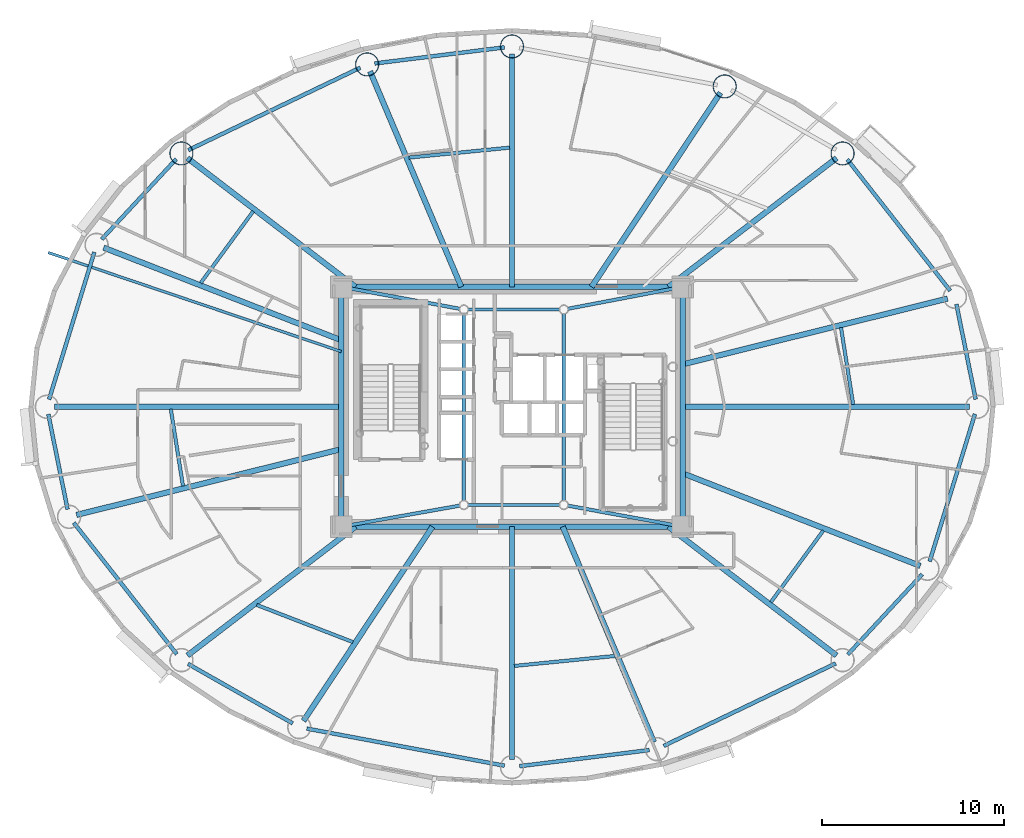
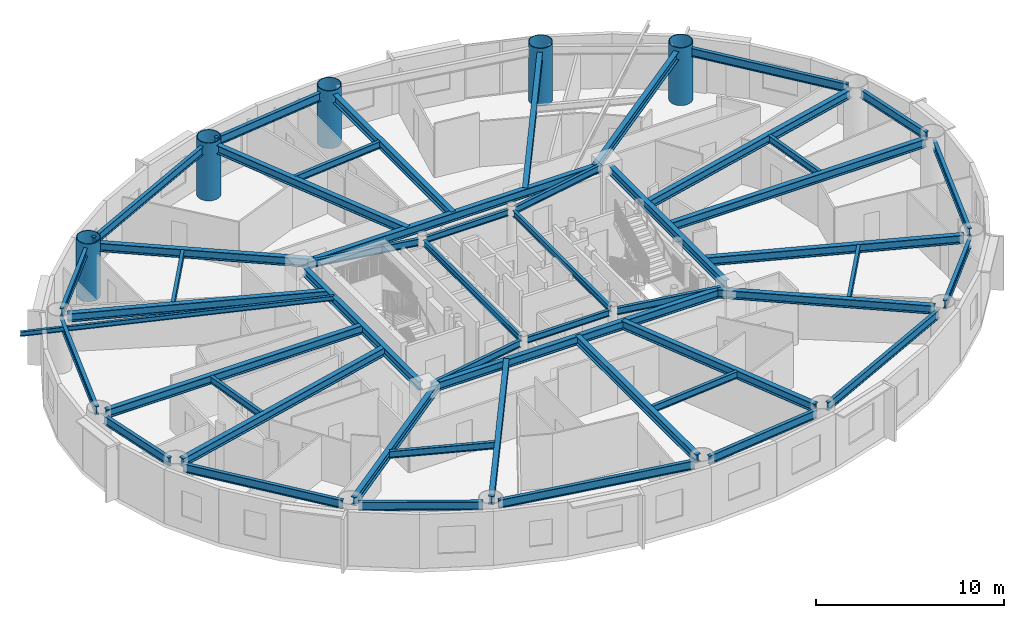
# One storey, part 3 of 18: 50 beams, 5 columns.
"""IFC4 building model written with IfcOpenShell, lengths in metres."""

from ifc_helpers import new_model, si_unit, direction, frame, origin, origin_2d, place, context, subcontext, project, spatial, hollow_circle, i_section, extrude, material, material_profile, profile_set, type_object, element, save


model = new_model("IFC4")

# Units and contexts
model_context = context("Model", 3, precision=1e-05, world=origin(), true_north=direction((0.0, 1.0)))
body_context = subcontext(model_context, "Body", "Model", "MODEL_VIEW")
ifc_project = project(units=[si_unit("LENGTHUNIT", "METRE"), si_unit("AREAUNIT", "SQUARE_METRE"), si_unit("VOLUMEUNIT", "CUBIC_METRE"), si_unit("PLANEANGLEUNIT", "RADIAN"), si_unit("MASSUNIT", "GRAM", prefix="KILO")], contexts=[model_context])

# Site, building, storey
site_placement = place(None, origin())
site = spatial("IfcSite", under=ifc_project, at=site_placement, CompositionType="ELEMENT")
building_placement = place(site_placement, origin())
building = spatial("IfcBuilding", under=site, at=building_placement, Name="Linh Dai School and Residence Tower", CompositionType="ELEMENT")
storey_placement = place(building_placement, frame((0.0, 0.0, 159.89990234375)))
storey = spatial("IfcBuildingStorey", under=building, at=storey_placement, Name="L38", CompositionType="ELEMENT", Elevation=159.89990234375)

# Columns
ifc_material = material(Name="Structural Steel S355JR", Category="steel")
ifc_material_profile_1 = material_profile(ifc_material, hollow_circle(Radius=0.64990234375, WallThickness=0.0400390625, at=origin_2d()), Name="CHS 1300x40")
ifc_profile_set_1 = profile_set([ifc_material_profile_1], Name="Structural Steel S355JR")
column_type = type_object("IfcColumnType", Name="COL-MC4", PredefinedType="COLUMN", material=ifc_profile_set_1)
for number, where, z_axis, x_axis, name in (
    (1, (54.1923828125, 40.941650390625, 0.0), (0.0, 0.0, 1.0), (1.0, 0.0, 0.0), "L38 Perimeter CFT Mega-Column MC03"),
    (2, (47.70556640625, 44.630859375, 0.0), (0.0, 0.0, 1.0), (1.0, 0.0, 0.0), "L38 Perimeter CFT Mega-Column MC04"),
    (3, (36.0, 46.830078125, 0.0), (0.0, 0.0, 1.0), (1.0, 0.0, 0.0), "L38 Perimeter CFT Mega-Column MC05"),
    (4, (28.026611328125, 45.84130859375, 0.0), (0.0, 0.0, 1.0), (1.0, 0.0, 0.0), "L38 Perimeter CFT Mega-Column MC06"),
    (5, (17.8076171875, 40.941650390625, 0.0), (0.0, 0.0, 1.0), (1.0, 0.0, 0.0), "L38 Perimeter CFT Mega-Column MC07"),
):
    element("IfcColumn", number, at=place(storey_placement, frame(where, z_axis=z_axis, x_axis=x_axis)), inside=storey, type_object=column_type, Name=name, PredefinedType="COLUMN", context=body_context, shape_type="SweptSolid", body=[
        extrude(hollow_circle(Radius=0.64990234375, WallThickness=0.0400390625, at=origin_2d()), origin(), (0.0, 0.0, 1.0), 3.75),
    ])

# Beams
ifc_material_profile_2 = material_profile(ifc_material, i_section(OverallWidth=0.14990234375, OverallDepth=0.300048828125, WebThickness=0.007080078125, FlangeThickness=0.0107421875, at=origin_2d()), Name="IPE 300")
ifc_profile_set_2 = profile_set([ifc_material_profile_2], Name="Structural Steel S355JR")
beam_type_1 = type_object("IfcBeamType", Name="BM-BALC-CANT", PredefinedType="BEAM", material=ifc_profile_set_2)
beam_1_placement = place(storey_placement, frame((26.60009765625, 30.04052734375, 3.35009765625), z_axis=(-0.947372863689, 0.320132249461, 0.0), x_axis=(-0.320132249461, -0.947372863689, 0.0)))
element("IfcBeam", 6, at=beam_1_placement, inside=storey, type_object=beam_type_1, Name="L39 Balcony Continuous Cantilever Beam 18", PredefinedType="BEAM", context=body_context, shape_type="SweptSolid", body=[
    extrude(i_section(OverallWidth=0.14990234375, OverallDepth=0.300048828125, WebThickness=0.007080078125, FlangeThickness=0.0107421875, at=origin_2d()), origin(), (0.0, 0.0, 1.0), 17.02099609375),
])
ifc_material_profile_3 = material_profile(ifc_material, i_section(OverallWidth=0.2099609375, OverallDepth=0.550048828125, WebThickness=0.010986328125, FlangeThickness=0.01708984375, FilletRadius=0.02392578125, at=origin_2d()), Name="IPE 550")
ifc_profile_set_3 = profile_set([ifc_material_profile_3], Name="Structural Steel S355JR")
beam_type_2 = type_object("IfcBeamType", Name="BM-RB55", PredefinedType="BEAM", material=ifc_profile_set_3)
beam_2_placement = place(storey_placement, frame((61.5166015625, 27.41162109375, 3.22509765625), z_axis=(-0.198420723955, 0.980116940117, 0.0), x_axis=(-0.980116940117, -0.198420723955, 0.0)))
element("IfcBeam", 7, at=beam_2_placement, inside=storey, type_object=beam_type_2, Name="L38 Perimeter Elliptical Ring Beam 01", PredefinedType="BEAM", context=body_context, shape_type="SweptSolid", body=[
    extrude(i_section(OverallWidth=0.2099609375, OverallDepth=0.550048828125, WebThickness=0.010986328125, FlangeThickness=0.01708984375, FilletRadius=0.02392578125, at=origin_2d()), origin(), (0.0, 0.0, 1.0), 5.33642578125),
])
beam_3_placement = place(storey_placement, frame((60.115478515625, 33.38427734375, 3.22509765625), z_axis=(-0.616852281883, 0.787078942887, 0.0), x_axis=(-0.787078942887, -0.616852281883, 0.0)))
element("IfcBeam", 8, at=beam_3_placement, inside=storey, type_object=beam_type_2, Name="L38 Perimeter Elliptical Ring Beam 02", PredefinedType="BEAM", context=body_context, shape_type="SweptSolid", body=[
    extrude(i_section(OverallWidth=0.2099609375, OverallDepth=0.550048828125, WebThickness=0.010986328125, FlangeThickness=0.01708984375, FilletRadius=0.02392578125, at=origin_2d()), origin(), (0.0, 0.0, 1.0), 9.181884765625),
])
beam_4_placement = place(storey_placement, frame((35.583251953125, 46.7783203125, 3.22509765625), z_axis=(-0.992400597975, -0.123048986741, 0.0), x_axis=(0.123048986741, -0.992400597975, 0.0)))
element("IfcBeam", 9, at=beam_4_placement, inside=storey, type_object=beam_type_2, Name="L38 Perimeter Elliptical Ring Beam 05", PredefinedType="BEAM", context=body_context, shape_type="SweptSolid", body=[
    extrude(i_section(OverallWidth=0.2099609375, OverallDepth=0.550048828125, WebThickness=0.010986328125, FlangeThickness=0.01708984375, FilletRadius=0.02392578125, at=origin_2d()), origin(), (0.0, 0.0, 1.0), 7.1943359375),
])
beam_5_placement = place(storey_placement, frame((27.64794921875, 45.659912109375, 3.22509765625), z_axis=(-0.901708141823, -0.432345263614, 0.0), x_axis=(0.432345263614, -0.901708141823, 0.0)))
element("IfcBeam", 10, at=beam_5_placement, inside=storey, type_object=beam_type_2, Name="L38 Perimeter Elliptical Ring Beam 06", PredefinedType="BEAM", context=body_context, shape_type="SweptSolid", body=[
    extrude(i_section(OverallWidth=0.2099609375, OverallDepth=0.550048828125, WebThickness=0.010986328125, FlangeThickness=0.01708984375, FilletRadius=0.02392578125, at=origin_2d()), origin(), (0.0, 0.0, 1.0), 10.4931640625),
])
beam_6_placement = place(storey_placement, frame((17.521728515625, 40.6337890625, 3.22509765625), z_axis=(-0.680378035197, -0.732861330145, 0.0), x_axis=(0.732861330145, -0.680378035197, 0.0)))
element("IfcBeam", 11, at=beam_6_placement, inside=storey, type_object=beam_type_2, Name="L38 Perimeter Elliptical Ring Beam 07", PredefinedType="BEAM", context=body_context, shape_type="SweptSolid", body=[
    extrude(i_section(OverallWidth=0.2099609375, OverallDepth=0.550048828125, WebThickness=0.010986328125, FlangeThickness=0.01708984375, FilletRadius=0.02392578125, at=origin_2d()), origin(), (0.0, 0.0, 1.0), 6.024169921875),
])
beam_7_placement = place(storey_placement, frame((13.01416015625, 35.509765625, 3.22509765625), z_axis=(-0.29363681283, -0.955917058196, 0.0), x_axis=(0.955917058196, -0.29363681283, 0.0)))
element("IfcBeam", 12, at=beam_7_placement, inside=storey, type_object=beam_type_2, Name="L38 Perimeter Elliptical Ring Beam 08", PredefinedType="BEAM", context=body_context, shape_type="SweptSolid", body=[
    extrude(i_section(OverallWidth=0.2099609375, OverallDepth=0.550048828125, WebThickness=0.010986328125, FlangeThickness=0.01708984375, FilletRadius=0.02392578125, at=origin_2d()), origin(), (0.0, 0.0, 1.0), 8.482421875),
])
beam_8_placement = place(storey_placement, frame((10.4833984375, 26.58837890625, 3.22509765625), z_axis=(0.198420723955, -0.980116940117, 0.0), x_axis=(0.980116940117, 0.198420723955, 0.0)))
element("IfcBeam", 13, at=beam_8_placement, inside=storey, type_object=beam_type_2, Name="L38 Perimeter Elliptical Ring Beam 09", PredefinedType="BEAM", context=body_context, shape_type="SweptSolid", body=[
    extrude(i_section(OverallWidth=0.2099609375, OverallDepth=0.550048828125, WebThickness=0.010986328125, FlangeThickness=0.01708984375, FilletRadius=0.02392578125, at=origin_2d()), origin(), (0.0, 0.0, 1.0), 5.33642578125),
])
beam_9_placement = place(storey_placement, frame((11.884521484375, 20.61572265625, 3.22509765625), z_axis=(0.616852281883, -0.787078942887, 0.0), x_axis=(0.787078942887, 0.616852281883, 0.0)))
element("IfcBeam", 14, at=beam_9_placement, inside=storey, type_object=beam_type_2, Name="L38 Perimeter Elliptical Ring Beam 10", PredefinedType="BEAM", context=body_context, shape_type="SweptSolid", body=[
    extrude(i_section(OverallWidth=0.2099609375, OverallDepth=0.550048828125, WebThickness=0.010986328125, FlangeThickness=0.01708984375, FilletRadius=0.02392578125, at=origin_2d()), origin(), (0.0, 0.0, 1.0), 9.181884765625),
])
beam_10_placement = place(storey_placement, frame((18.172607421875, 12.8505859375, 3.22509765625), z_axis=(0.869262164011, -0.49435138335, 0.0), x_axis=(0.49435138335, 0.869262164011, 0.0)))
element("IfcBeam", 15, at=beam_10_placement, inside=storey, type_object=beam_type_2, Name="L38 Perimeter Elliptical Ring Beam 11", PredefinedType="BEAM", context=body_context, shape_type="SweptSolid", body=[
    extrude(i_section(OverallWidth=0.2099609375, OverallDepth=0.550048828125, WebThickness=0.010986328125, FlangeThickness=0.01708984375, FilletRadius=0.02392578125, at=origin_2d()), origin(), (0.0, 0.0, 1.0), 6.62255859375),
])
beam_11_placement = place(storey_placement, frame((24.707275390625, 9.29150390625, 3.22509765625), z_axis=(0.98280721278, -0.184634727255, 0.0), x_axis=(0.184634727255, 0.98280721278, 0.0)))
element("IfcBeam", 16, at=beam_11_placement, inside=storey, type_object=beam_type_2, Name="L38 Perimeter Elliptical Ring Beam 12", PredefinedType="BEAM", context=body_context, shape_type="SweptSolid", body=[
    extrude(i_section(OverallWidth=0.2099609375, OverallDepth=0.550048828125, WebThickness=0.010986328125, FlangeThickness=0.01708984375, FilletRadius=0.02392578125, at=origin_2d()), origin(), (0.0, 0.0, 1.0), 11.0703125),
])
beam_12_placement = place(storey_placement, frame((36.416748046875, 7.2216796875, 3.22509765625), z_axis=(0.992400597975, 0.123048986741, 0.0), x_axis=(-0.123048986741, 0.992400597975, 0.0)))
element("IfcBeam", 17, at=beam_12_placement, inside=storey, type_object=beam_type_2, Name="L38 Perimeter Elliptical Ring Beam 13", PredefinedType="BEAM", context=body_context, shape_type="SweptSolid", body=[
    extrude(i_section(OverallWidth=0.2099609375, OverallDepth=0.550048828125, WebThickness=0.010986328125, FlangeThickness=0.01708984375, FilletRadius=0.02392578125, at=origin_2d()), origin(), (0.0, 0.0, 1.0), 7.1943359375),
])
beam_13_placement = place(storey_placement, frame((44.35205078125, 8.340087890625, 3.22509765625), z_axis=(0.901708141823, 0.432345263614, 0.0), x_axis=(-0.432345263614, 0.901708141823, 0.0)))
element("IfcBeam", 18, at=beam_13_placement, inside=storey, type_object=beam_type_2, Name="L38 Perimeter Elliptical Ring Beam 14", PredefinedType="BEAM", context=body_context, shape_type="SweptSolid", body=[
    extrude(i_section(OverallWidth=0.2099609375, OverallDepth=0.550048828125, WebThickness=0.010986328125, FlangeThickness=0.01708984375, FilletRadius=0.02392578125, at=origin_2d()), origin(), (0.0, 0.0, 1.0), 10.4931640625),
])
beam_14_placement = place(storey_placement, frame((54.478271484375, 13.3662109375, 3.22509765625), z_axis=(0.680378035197, 0.732861330145, 0.0), x_axis=(-0.732861330145, 0.680378035197, 0.0)))
element("IfcBeam", 19, at=beam_14_placement, inside=storey, type_object=beam_type_2, Name="L38 Perimeter Elliptical Ring Beam 15", PredefinedType="BEAM", context=body_context, shape_type="SweptSolid", body=[
    extrude(i_section(OverallWidth=0.2099609375, OverallDepth=0.550048828125, WebThickness=0.010986328125, FlangeThickness=0.01708984375, FilletRadius=0.02392578125, at=origin_2d()), origin(), (0.0, 0.0, 1.0), 6.024169921875),
])
beam_15_placement = place(storey_placement, frame((58.98583984375, 18.490234375, 3.22509765625), z_axis=(0.29363681283, 0.955917058196, 0.0), x_axis=(-0.955917058196, 0.29363681283, 0.0)))
element("IfcBeam", 20, at=beam_15_placement, inside=storey, type_object=beam_type_2, Name="L38 Perimeter Elliptical Ring Beam 16", PredefinedType="BEAM", context=body_context, shape_type="SweptSolid", body=[
    extrude(i_section(OverallWidth=0.2099609375, OverallDepth=0.550048828125, WebThickness=0.010986328125, FlangeThickness=0.01708984375, FilletRadius=0.02392578125, at=origin_2d()), origin(), (0.0, 0.0, 1.0), 8.482421875),
])
ifc_material_profile_4 = material_profile(ifc_material, i_section(OverallWidth=0.300048828125, OverallDepth=0.550048828125, WebThickness=0.014892578125, FlangeThickness=0.029052734375, FilletRadius=0.027099609375, at=origin_2d()), Name="HEB 550")
ifc_profile_set_4 = profile_set([ifc_material_profile_4], Name="Structural Steel S355JR")
beam_type_3 = type_object("IfcBeamType", Name="BM-RG55", PredefinedType="BEAM", material=ifc_profile_set_4)
beam_16_placement = place(storey_placement, frame((27.02001953125, 20.39990234375, 3.22509765625), z_axis=(1.0, 0.0, 0.0), x_axis=(0.0, 1.0, 0.0)))
element("IfcBeam", 21, at=beam_16_placement, inside=storey, type_object=beam_type_3, Name="L38 Core Perimeter Coupling Girder 1", PredefinedType="BEAM", context=body_context, shape_type="SweptSolid", body=[
    extrude(i_section(OverallWidth=0.300048828125, OverallDepth=0.550048828125, WebThickness=0.014892578125, FlangeThickness=0.029052734375, FilletRadius=0.027099609375, at=origin_2d()), origin(), (0.0, 0.0, 1.0), 17.9599609375),
])
beam_17_placement = place(storey_placement, frame((45.39990234375, 20.820068359375, 3.22509765625), z_axis=(0.0, 1.0, 0.0), x_axis=(-1.0, 0.0, 0.0)))
element("IfcBeam", 22, at=beam_17_placement, inside=storey, type_object=beam_type_3, Name="L38 Core Perimeter Coupling Girder 2", PredefinedType="BEAM", context=body_context, shape_type="SweptSolid", body=[
    extrude(i_section(OverallWidth=0.300048828125, OverallDepth=0.550048828125, WebThickness=0.014892578125, FlangeThickness=0.029052734375, FilletRadius=0.027099609375, at=origin_2d()), origin(), (0.0, 0.0, 1.0), 12.35986328125),
])
beam_18_placement = place(storey_placement, frame((44.97998046875, 33.60009765625, 3.22509765625), z_axis=(-1.0, 0.0, 0.0), x_axis=(0.0, -1.0, 0.0)))
element("IfcBeam", 23, at=beam_18_placement, inside=storey, type_object=beam_type_3, Name="L38 Core Perimeter Coupling Girder 3", PredefinedType="BEAM", context=body_context, shape_type="SweptSolid", body=[
    extrude(i_section(OverallWidth=0.300048828125, OverallDepth=0.550048828125, WebThickness=0.014892578125, FlangeThickness=0.029052734375, FilletRadius=0.027099609375, at=origin_2d()), origin(), (0.0, 0.0, 1.0), 17.9599609375),
])
beam_19_placement = place(storey_placement, frame((26.60009765625, 33.179931640625, 3.22509765625), z_axis=(0.0, -1.0, 0.0), x_axis=(1.0, 0.0, 0.0)))
element("IfcBeam", 24, at=beam_19_placement, inside=storey, type_object=beam_type_3, Name="L38 Core Perimeter Coupling Girder 4", PredefinedType="BEAM", context=body_context, shape_type="SweptSolid", body=[
    extrude(i_section(OverallWidth=0.300048828125, OverallDepth=0.550048828125, WebThickness=0.014892578125, FlangeThickness=0.029052734375, FilletRadius=0.027099609375, at=origin_2d()), origin(), (0.0, 0.0, 1.0), 12.35986328125),
])
beam_20_placement = place(storey_placement, frame((45.39990234375, 27.0, 3.22509765625), z_axis=(1.0, 0.0, 0.0), x_axis=(0.0, 1.0, 0.0)))
element("IfcBeam", 25, at=beam_20_placement, inside=storey, type_object=beam_type_3, Name="L38 Primary Radial Floor Girder 01", PredefinedType="BEAM", context=body_context, shape_type="SweptSolid", body=[
    extrude(i_section(OverallWidth=0.300048828125, OverallDepth=0.550048828125, WebThickness=0.014892578125, FlangeThickness=0.029052734375, FilletRadius=0.027099609375, at=origin_2d()), origin(), (0.0, 0.0, 1.0), 15.780029296875),
])
beam_21_placement = place(storey_placement, frame((45.39990234375, 29.33447265625, 3.22509765625), z_axis=(0.970514508209, 0.24104271272, 0.0), x_axis=(-0.24104271272, 0.970514508209, 0.0)))
element("IfcBeam", 26, at=beam_21_placement, inside=storey, type_object=beam_type_3, Name="L38 Primary Radial Floor Girder 02", PredefinedType="BEAM", context=body_context, shape_type="SweptSolid", body=[
    extrude(i_section(OverallWidth=0.300048828125, OverallDepth=0.550048828125, WebThickness=0.014892578125, FlangeThickness=0.029052734375, FilletRadius=0.027099609375, at=origin_2d()), origin(), (0.0, 0.0, 1.0), 15.009521484375),
])
beam_22_placement = place(storey_placement, frame((44.6123046875, 33.60009765625, 3.22509765625), z_axis=(0.793732831925, 0.608266546445, 0.0), x_axis=(-0.608266546445, 0.793732831925, 0.0)))
element("IfcBeam", 27, at=beam_22_placement, inside=storey, type_object=beam_type_3, Name="L38 Primary Radial Floor Girder 03", PredefinedType="BEAM", context=body_context, shape_type="SweptSolid", body=[
    extrude(i_section(OverallWidth=0.300048828125, OverallDepth=0.550048828125, WebThickness=0.014892578125, FlangeThickness=0.029052734375, FilletRadius=0.027099609375, at=origin_2d()), origin(), (0.0, 0.0, 1.0), 11.64990234375),
])
beam_23_placement = place(storey_placement, frame((40.3818359375, 33.60009765625, 3.22509765625), z_axis=(0.553117176317, 0.833103468522, 0.0), x_axis=(-0.833103468522, 0.553117176317, 0.0)))
element("IfcBeam", 28, at=beam_23_placement, inside=storey, type_object=beam_type_3, Name="L38 Primary Radial Floor Girder 04", PredefinedType="BEAM", context=body_context, shape_type="SweptSolid", body=[
    extrude(i_section(OverallWidth=0.300048828125, OverallDepth=0.550048828125, WebThickness=0.014892578125, FlangeThickness=0.029052734375, FilletRadius=0.027099609375, at=origin_2d()), origin(), (0.0, 0.0, 1.0), 12.820556640625),
])
beam_24_placement = place(storey_placement, frame((36.0, 33.60009765625, 3.22509765625), z_axis=(0.0, 1.0, 0.0), x_axis=(-1.0, 0.0, 0.0)))
element("IfcBeam", 29, at=beam_24_placement, inside=storey, type_object=beam_type_3, Name="L38 Primary Radial Floor Girder 05", PredefinedType="BEAM", context=body_context, shape_type="SweptSolid", body=[
    extrude(i_section(OverallWidth=0.300048828125, OverallDepth=0.550048828125, WebThickness=0.014892578125, FlangeThickness=0.029052734375, FilletRadius=0.027099609375, at=origin_2d()), origin(), (0.0, 0.0, 1.0), 12.809814453125),
])
beam_25_placement = place(storey_placement, frame((33.20703125, 33.60009765625, 3.22509765625), z_axis=(-0.389721661447, 0.920932693849, 0.0), x_axis=(-0.920932693849, -0.389721661447, 0.0)))
element("IfcBeam", 30, at=beam_25_placement, inside=storey, type_object=beam_type_3, Name="L38 Primary Radial Floor Girder 06", PredefinedType="BEAM", context=body_context, shape_type="SweptSolid", body=[
    extrude(i_section(OverallWidth=0.300048828125, OverallDepth=0.550048828125, WebThickness=0.014892578125, FlangeThickness=0.029052734375, FilletRadius=0.027099609375, at=origin_2d()), origin(), (0.0, 0.0, 1.0), 12.872314453125),
])
beam_26_placement = place(storey_placement, frame((27.3876953125, 33.60009765625, 3.22509765625), z_axis=(-0.793732831925, 0.608266546445, 0.0), x_axis=(-0.608266546445, -0.793732831925, 0.0)))
element("IfcBeam", 31, at=beam_26_placement, inside=storey, type_object=beam_type_3, Name="L38 Primary Radial Floor Girder 07", PredefinedType="BEAM", context=body_context, shape_type="SweptSolid", body=[
    extrude(i_section(OverallWidth=0.300048828125, OverallDepth=0.550048828125, WebThickness=0.014892578125, FlangeThickness=0.029052734375, FilletRadius=0.027099609375, at=origin_2d()), origin(), (0.0, 0.0, 1.0), 11.64990234375),
])
beam_27_placement = place(storey_placement, frame((26.60009765625, 30.663818359375, 3.22509765625), z_axis=(-0.931722873254, 0.363170053081, 0.0), x_axis=(-0.363170053081, -0.931722873254, 0.0)))
element("IfcBeam", 32, at=beam_27_placement, inside=storey, type_object=beam_type_3, Name="L38 Primary Radial Floor Girder 08", PredefinedType="BEAM", context=body_context, shape_type="SweptSolid", body=[
    extrude(i_section(OverallWidth=0.300048828125, OverallDepth=0.550048828125, WebThickness=0.014892578125, FlangeThickness=0.029052734375, FilletRadius=0.027099609375, at=origin_2d()), origin(), (0.0, 0.0, 1.0), 14.029052734375),
])
beam_28_placement = place(storey_placement, frame((26.60009765625, 27.0, 3.22509765625), z_axis=(-1.0, 0.0, 0.0), x_axis=(0.0, -1.0, 0.0)))
element("IfcBeam", 33, at=beam_28_placement, inside=storey, type_object=beam_type_3, Name="L38 Primary Radial Floor Girder 09", PredefinedType="BEAM", context=body_context, shape_type="SweptSolid", body=[
    extrude(i_section(OverallWidth=0.300048828125, OverallDepth=0.550048828125, WebThickness=0.014892578125, FlangeThickness=0.029052734375, FilletRadius=0.027099609375, at=origin_2d()), origin(), (0.0, 0.0, 1.0), 15.780029296875),
])
beam_29_placement = place(storey_placement, frame((26.60009765625, 24.66552734375, 3.22509765625), z_axis=(-0.970514508209, -0.24104271272, 0.0), x_axis=(0.24104271272, -0.970514508209, 0.0)))
element("IfcBeam", 34, at=beam_29_placement, inside=storey, type_object=beam_type_3, Name="L38 Primary Radial Floor Girder 10", PredefinedType="BEAM", context=body_context, shape_type="SweptSolid", body=[
    extrude(i_section(OverallWidth=0.300048828125, OverallDepth=0.550048828125, WebThickness=0.014892578125, FlangeThickness=0.029052734375, FilletRadius=0.027099609375, at=origin_2d()), origin(), (0.0, 0.0, 1.0), 15.009521484375),
])
beam_30_placement = place(storey_placement, frame((27.3876953125, 20.39990234375, 3.22509765625), z_axis=(-0.793732831925, -0.608266546445, 0.0), x_axis=(0.608266546445, -0.793732831925, 0.0)))
element("IfcBeam", 35, at=beam_30_placement, inside=storey, type_object=beam_type_3, Name="L38 Primary Radial Floor Girder 11", PredefinedType="BEAM", context=body_context, shape_type="SweptSolid", body=[
    extrude(i_section(OverallWidth=0.300048828125, OverallDepth=0.550048828125, WebThickness=0.014892578125, FlangeThickness=0.029052734375, FilletRadius=0.027099609375, at=origin_2d()), origin(), (0.0, 0.0, 1.0), 11.64990234375),
])
beam_31_placement = place(storey_placement, frame((31.6181640625, 20.39990234375, 3.22509765625), z_axis=(-0.553117176317, -0.833103468522, 0.0), x_axis=(0.833103468522, -0.553117176317, 0.0)))
element("IfcBeam", 36, at=beam_31_placement, inside=storey, type_object=beam_type_3, Name="L38 Primary Radial Floor Girder 12", PredefinedType="BEAM", context=body_context, shape_type="SweptSolid", body=[
    extrude(i_section(OverallWidth=0.300048828125, OverallDepth=0.550048828125, WebThickness=0.014892578125, FlangeThickness=0.029052734375, FilletRadius=0.027099609375, at=origin_2d()), origin(), (0.0, 0.0, 1.0), 12.820556640625),
])
beam_32_placement = place(storey_placement, frame((36.0, 20.39990234375, 3.22509765625), z_axis=(0.0, -1.0, 0.0), x_axis=(1.0, 0.0, 0.0)))
element("IfcBeam", 37, at=beam_32_placement, inside=storey, type_object=beam_type_3, Name="L38 Primary Radial Floor Girder 13", PredefinedType="BEAM", context=body_context, shape_type="SweptSolid", body=[
    extrude(i_section(OverallWidth=0.300048828125, OverallDepth=0.550048828125, WebThickness=0.014892578125, FlangeThickness=0.029052734375, FilletRadius=0.027099609375, at=origin_2d()), origin(), (0.0, 0.0, 1.0), 12.809814453125),
])
beam_33_placement = place(storey_placement, frame((38.79296875, 20.39990234375, 3.22509765625), z_axis=(0.389721661447, -0.920932693849, 0.0), x_axis=(0.920932693849, 0.389721661447, 0.0)))
element("IfcBeam", 38, at=beam_33_placement, inside=storey, type_object=beam_type_3, Name="L38 Primary Radial Floor Girder 14", PredefinedType="BEAM", context=body_context, shape_type="SweptSolid", body=[
    extrude(i_section(OverallWidth=0.300048828125, OverallDepth=0.550048828125, WebThickness=0.014892578125, FlangeThickness=0.029052734375, FilletRadius=0.027099609375, at=origin_2d()), origin(), (0.0, 0.0, 1.0), 12.872314453125),
])
beam_34_placement = place(storey_placement, frame((44.6123046875, 20.39990234375, 3.22509765625), z_axis=(0.793732831925, -0.608266546445, 0.0), x_axis=(0.608266546445, 0.793732831925, 0.0)))
element("IfcBeam", 39, at=beam_34_placement, inside=storey, type_object=beam_type_3, Name="L38 Primary Radial Floor Girder 15", PredefinedType="BEAM", context=body_context, shape_type="SweptSolid", body=[
    extrude(i_section(OverallWidth=0.300048828125, OverallDepth=0.550048828125, WebThickness=0.014892578125, FlangeThickness=0.029052734375, FilletRadius=0.027099609375, at=origin_2d()), origin(), (0.0, 0.0, 1.0), 11.64990234375),
])
beam_35_placement = place(storey_placement, frame((45.39990234375, 23.336181640625, 3.22509765625), z_axis=(0.931722873254, -0.363170053081, 0.0), x_axis=(0.363170053081, 0.931722873254, 0.0)))
element("IfcBeam", 40, at=beam_35_placement, inside=storey, type_object=beam_type_3, Name="L38 Primary Radial Floor Girder 16", PredefinedType="BEAM", context=body_context, shape_type="SweptSolid", body=[
    extrude(i_section(OverallWidth=0.300048828125, OverallDepth=0.550048828125, WebThickness=0.014892578125, FlangeThickness=0.029052734375, FilletRadius=0.027099609375, at=origin_2d()), origin(), (0.0, 0.0, 1.0), 14.029052734375),
])
ifc_material_profile_5 = material_profile(ifc_material, i_section(OverallWidth=0.179931640625, OverallDepth=0.39990234375, WebThickness=0.008544921875, FlangeThickness=0.013427734375, FilletRadius=0.02099609375, at=origin_2d()), Name="IPE 400")
ifc_profile_set_5 = profile_set([ifc_material_profile_5], Name="Structural Steel S355JR")
beam_type_4 = type_object("IfcBeamType", Name="BM-SB40", PredefinedType="BEAM", material=ifc_profile_set_5)
beam_36_placement = place(storey_placement, frame((33.573974609375, 21.60009765625, 3.300048828125), z_axis=(1.0, 0.0, 0.0), x_axis=(0.0, 1.0, 0.0)))
element("IfcBeam", 41, at=beam_36_placement, inside=storey, type_object=beam_type_4, Name="L38 Core Mast Pier Tie Beam 1", PredefinedType="BEAM", context=body_context, shape_type="SweptSolid", body=[
    extrude(i_section(OverallWidth=0.179931640625, OverallDepth=0.39990234375, WebThickness=0.008544921875, FlangeThickness=0.013427734375, FilletRadius=0.02099609375, at=origin_2d()), origin(), (0.0, 0.0, 1.0), 5.052001953125),
])
beam_37_placement = place(storey_placement, frame((38.85009765625, 21.823974609375, 3.300048828125), z_axis=(0.0, 1.0, 0.0), x_axis=(-1.0, 0.0, 0.0)))
element("IfcBeam", 42, at=beam_37_placement, inside=storey, type_object=beam_type_4, Name="L38 Core Mast Pier Tie Beam 2", PredefinedType="BEAM", context=body_context, shape_type="SweptSolid", body=[
    extrude(i_section(OverallWidth=0.179931640625, OverallDepth=0.39990234375, WebThickness=0.008544921875, FlangeThickness=0.013427734375, FilletRadius=0.02099609375, at=origin_2d()), origin(), (0.0, 0.0, 1.0), 10.302001953125),
])
beam_38_placement = place(storey_placement, frame((38.6259765625, 32.35009765625, 3.300048828125), z_axis=(-1.0, 0.0, 0.0), x_axis=(0.0, -1.0, 0.0)))
element("IfcBeam", 43, at=beam_38_placement, inside=storey, type_object=beam_type_4, Name="L38 Core Mast Pier Tie Beam 3", PredefinedType="BEAM", context=body_context, shape_type="SweptSolid", body=[
    extrude(i_section(OverallWidth=0.179931640625, OverallDepth=0.39990234375, WebThickness=0.008544921875, FlangeThickness=0.013427734375, FilletRadius=0.02099609375, at=origin_2d()), origin(), (0.0, 0.0, 1.0), 5.052001953125),
])
beam_39_placement = place(storey_placement, frame((33.35009765625, 32.1259765625, 3.300048828125), z_axis=(0.0, -1.0, 0.0), x_axis=(1.0, 0.0, 0.0)))
element("IfcBeam", 44, at=beam_39_placement, inside=storey, type_object=beam_type_4, Name="L38 Core Mast Pier Tie Beam 4", PredefinedType="BEAM", context=body_context, shape_type="SweptSolid", body=[
    extrude(i_section(OverallWidth=0.179931640625, OverallDepth=0.39990234375, WebThickness=0.008544921875, FlangeThickness=0.013427734375, FilletRadius=0.02099609375, at=origin_2d()), origin(), (0.0, 0.0, 1.0), 10.302001953125),
])
ifc_material_profile_6 = material_profile(ifc_material, i_section(OverallWidth=0.18994140625, OverallDepth=0.449951171875, WebThickness=0.009521484375, FlangeThickness=0.0146484375, FilletRadius=0.02099609375, at=origin_2d()), Name="IPE 450")
ifc_profile_set_6 = profile_set([ifc_material_profile_6], Name="Structural Steel S355JR")
beam_type_5 = type_object("IfcBeamType", Name="BM-SB45", PredefinedType="BEAM", material=ifc_profile_set_6)
beam_40_placement = place(storey_placement, frame((27.013427734375, 20.4736328125, 3.275146484375), z_axis=(0.984565969371, 0.175013862185, 0.0), x_axis=(-0.175013862185, 0.984565969371, 0.0)))
element("IfcBeam", 45, at=beam_40_placement, inside=storey, type_object=beam_type_5, Name="L38 Core Corner-to-Mast Pier Beam 1", PredefinedType="BEAM", context=body_context, shape_type="SweptSolid", body=[
    extrude(i_section(OverallWidth=0.18994140625, OverallDepth=0.449951171875, WebThickness=0.009521484375, FlangeThickness=0.0146484375, FilletRadius=0.02099609375, at=origin_2d()), origin(), (0.0, 0.0, 1.0), 6.2119140625),
])
beam_41_placement = place(storey_placement, frame((44.98681640625, 20.4755859375, 3.275146484375), z_axis=(-0.983627428732, 0.180213987933, 0.0), x_axis=(-0.180213987933, -0.983627428732, 0.0)))
element("IfcBeam", 46, at=beam_41_placement, inside=storey, type_object=beam_type_5, Name="L38 Core Corner-to-Mast Pier Beam 2", PredefinedType="BEAM", context=body_context, shape_type="SweptSolid", body=[
    extrude(i_section(OverallWidth=0.18994140625, OverallDepth=0.449951171875, WebThickness=0.009521484375, FlangeThickness=0.0146484375, FilletRadius=0.02099609375, at=origin_2d()), origin(), (0.0, 0.0, 1.0), 6.014892578125),
])
beam_42_placement = place(storey_placement, frame((44.987548828125, 33.521240234375, 3.275146484375), z_axis=(-0.982277147686, -0.187434268836, 0.0), x_axis=(0.187434268836, -0.982277147686, 0.0)))
element("IfcBeam", 47, at=beam_42_placement, inside=storey, type_object=beam_type_5, Name="L38 Core Corner-to-Mast Pier Beam 3", PredefinedType="BEAM", context=body_context, shape_type="SweptSolid", body=[
    extrude(i_section(OverallWidth=0.18994140625, OverallDepth=0.449951171875, WebThickness=0.009521484375, FlangeThickness=0.0146484375, FilletRadius=0.02099609375, at=origin_2d()), origin(), (0.0, 0.0, 1.0), 6.024169921875),
])
beam_43_placement = place(storey_placement, frame((27.012939453125, 33.5234375, 3.275146484375), z_axis=(0.983286429055, -0.182065368579, 0.0), x_axis=(0.182065368579, 0.983286429055, 0.0)))
element("IfcBeam", 48, at=beam_43_placement, inside=storey, type_object=beam_type_5, Name="L38 Core Corner-to-Mast Pier Beam 4", PredefinedType="BEAM", context=body_context, shape_type="SweptSolid", body=[
    extrude(i_section(OverallWidth=0.18994140625, OverallDepth=0.449951171875, WebThickness=0.009521484375, FlangeThickness=0.0146484375, FilletRadius=0.02099609375, at=origin_2d()), origin(), (0.0, 0.0, 1.0), 6.220703125),
])
beam_44_placement = place(storey_placement, frame((54.775634765625, 27.12841796875, 3.275146484375), z_axis=(-0.156304675371, 0.987708888518, 0.0), x_axis=(-0.987708888518, -0.156304675371, 0.0)))
element("IfcBeam", 49, at=beam_44_placement, inside=storey, type_object=beam_type_5, Name="L38 Secondary Circumferential Floor Beam 01", PredefinedType="BEAM", context=body_context, shape_type="SweptSolid", body=[
    extrude(i_section(OverallWidth=0.18994140625, OverallDepth=0.449951171875, WebThickness=0.009521484375, FlangeThickness=0.0146484375, FilletRadius=0.02099609375, at=origin_2d()), origin(), (0.0, 0.0, 1.0), 4.28759765625),
])
beam_45_placement = place(storey_placement, frame((35.87060546875, 41.260498046875, 3.275146484375), z_axis=(-0.995148179174, -0.098387506761, 0.0), x_axis=(0.098387506761, -0.995148179174, 0.0)))
element("IfcBeam", 50, at=beam_45_placement, inside=storey, type_object=beam_type_5, Name="L38 Secondary Circumferential Floor Beam 03", PredefinedType="BEAM", context=body_context, shape_type="SweptSolid", body=[
    extrude(i_section(OverallWidth=0.18994140625, OverallDepth=0.449951171875, WebThickness=0.009521484375, FlangeThickness=0.0146484375, FilletRadius=0.02099609375, at=origin_2d()), origin(), (0.0, 0.0, 1.0), 5.56591796875),
])
beam_46_placement = place(storey_placement, frame((21.75439453125, 37.75341796875, 3.275146484375), z_axis=(-0.590804505267, -0.806814747359, 0.0), x_axis=(0.806814747359, -0.590804505267, 0.0)))
element("IfcBeam", 51, at=beam_46_placement, inside=storey, type_object=beam_type_5, Name="L38 Secondary Circumferential Floor Beam 04", PredefinedType="BEAM", context=body_context, shape_type="SweptSolid", body=[
    extrude(i_section(OverallWidth=0.18994140625, OverallDepth=0.449951171875, WebThickness=0.009521484375, FlangeThickness=0.0146484375, FilletRadius=0.02099609375, at=origin_2d()), origin(), (0.0, 0.0, 1.0), 4.884765625),
])
beam_47_placement = place(storey_placement, frame((17.224365234375, 26.87158203125, 3.275146484375), z_axis=(0.156304675371, -0.987708888518, 0.0), x_axis=(0.987708888518, 0.156304675371, 0.0)))
element("IfcBeam", 52, at=beam_47_placement, inside=storey, type_object=beam_type_5, Name="L38 Secondary Circumferential Floor Beam 05", PredefinedType="BEAM", context=body_context, shape_type="SweptSolid", body=[
    extrude(i_section(OverallWidth=0.18994140625, OverallDepth=0.449951171875, WebThickness=0.009521484375, FlangeThickness=0.0146484375, FilletRadius=0.02099609375, at=origin_2d()), origin(), (0.0, 0.0, 1.0), 4.28759765625),
])
beam_48_placement = place(storey_placement, frame((21.952392578125, 16.094970703125, 3.275146484375), z_axis=(0.932814887644, -0.360355914881, 0.0), x_axis=(0.360355914881, 0.932814887644, 0.0)))
element("IfcBeam", 53, at=beam_48_placement, inside=storey, type_object=beam_type_5, Name="L38 Secondary Circumferential Floor Beam 06", PredefinedType="BEAM", context=body_context, shape_type="SweptSolid", body=[
    extrude(i_section(OverallWidth=0.18994140625, OverallDepth=0.449951171875, WebThickness=0.009521484375, FlangeThickness=0.0146484375, FilletRadius=0.02099609375, at=origin_2d()), origin(), (0.0, 0.0, 1.0), 5.67822265625),
])
beam_49_placement = place(storey_placement, frame((36.12939453125, 12.739501953125, 3.275146484375), z_axis=(0.995148179174, 0.098387506761, 0.0), x_axis=(-0.098387506761, 0.995148179174, 0.0)))
element("IfcBeam", 54, at=beam_49_placement, inside=storey, type_object=beam_type_5, Name="L38 Secondary Circumferential Floor Beam 07", PredefinedType="BEAM", context=body_context, shape_type="SweptSolid", body=[
    extrude(i_section(OverallWidth=0.18994140625, OverallDepth=0.449951171875, WebThickness=0.009521484375, FlangeThickness=0.0146484375, FilletRadius=0.02099609375, at=origin_2d()), origin(), (0.0, 0.0, 1.0), 5.56591796875),
])
beam_50_placement = place(storey_placement, frame((50.24560546875, 16.24658203125, 3.275146484375), z_axis=(0.590804505267, 0.806814747359, 0.0), x_axis=(-0.806814747359, 0.590804505267, 0.0)))
element("IfcBeam", 55, at=beam_50_placement, inside=storey, type_object=beam_type_5, Name="L38 Secondary Circumferential Floor Beam 08", PredefinedType="BEAM", context=body_context, shape_type="SweptSolid", body=[
    extrude(i_section(OverallWidth=0.18994140625, OverallDepth=0.449951171875, WebThickness=0.009521484375, FlangeThickness=0.0146484375, FilletRadius=0.02099609375, at=origin_2d()), origin(), (0.0, 0.0, 1.0), 4.884765625),
])

save(model, "model.ifc")
